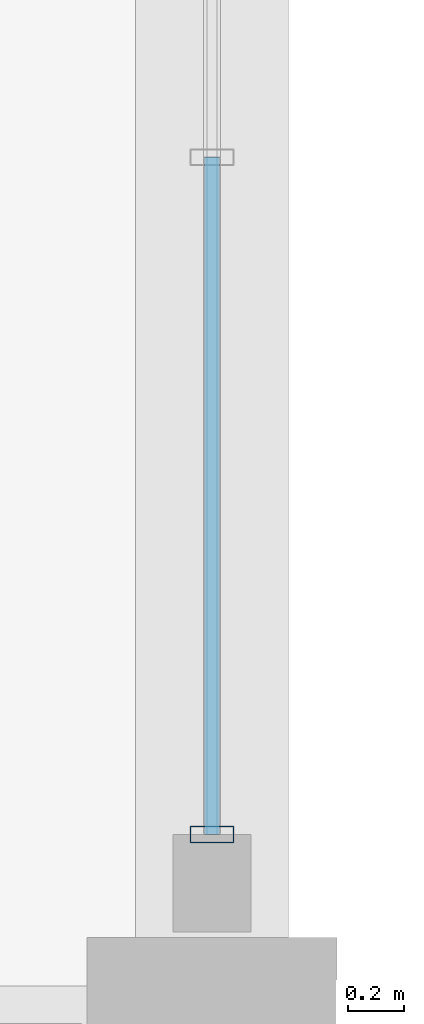
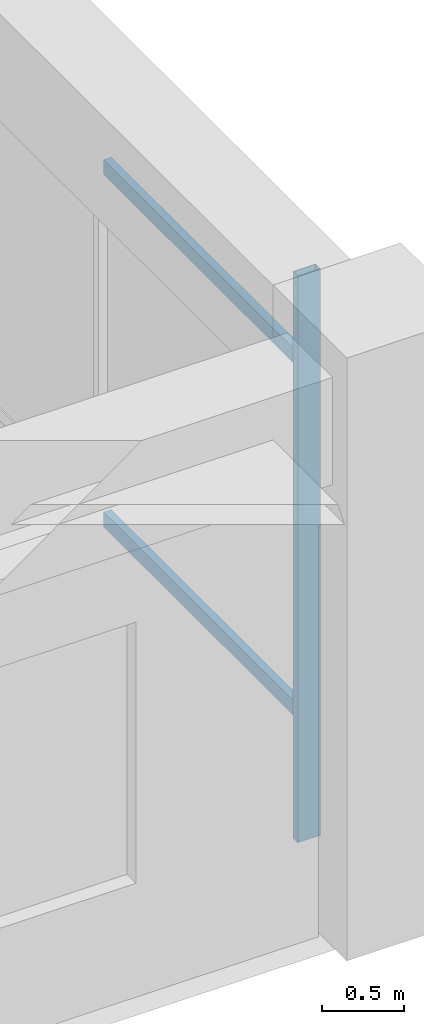
# One storey, part 77 of 154: 3 members, 1 element without a shape of its own.
"""IFC4 building model written with IfcOpenShell, lengths in metres."""

from ifc_helpers import new_model, si_unit, direction, frame, origin, origin_2d, place, context, subcontext, project, spatial, hollow_rectangle, extrude, material, material_profile, profile_set, type_object, element, aggregate, save


model = new_model("IFC4")

# Units and contexts
model_context = context("Model", 3, precision=1e-05, world=origin(), true_north=direction((0.0, 1.0)))
body_context = subcontext(model_context, "Body", "Model", "MODEL_VIEW")
ifc_project = project(units=[si_unit("LENGTHUNIT", "METRE"), si_unit("AREAUNIT", "SQUARE_METRE"), si_unit("VOLUMEUNIT", "CUBIC_METRE"), si_unit("PLANEANGLEUNIT", "RADIAN"), si_unit("MASSUNIT", "GRAM", prefix="KILO")], contexts=[model_context])

# Site, building, storey
site_placement = place(None, origin())
site = spatial("IfcSite", under=ifc_project, at=site_placement, CompositionType="ELEMENT")
building_placement = place(site_placement, origin())
building = spatial("IfcBuilding", under=site, at=building_placement, Name="Ologun Quay Terminus", CompositionType="ELEMENT")
storey_placement = place(building_placement, frame((0.0, 0.0, 13.800048828125)))
storey = spatial("IfcBuildingStorey", under=building, at=storey_placement, Name="L03", CompositionType="ELEMENT", Elevation=13.800048828125)

# Curtain wall, members
ifc_material_1 = material(Name="Aluminium 6063-T6", Category="aluminium")
curtain_wall_type = type_object("IfcCurtainWallType", Name="Rain-Garden West Courtyard Curtain Wall L03 8200x4150", PredefinedType="USERDEFINED", material=ifc_material_1)
curtain_wall_placement = place(storey_placement, origin())
curtain_wall = element("IfcCurtainWall", 1, at=curtain_wall_placement, inside=storey, type_object=curtain_wall_type, Name="CW-16 Curtain Wall CW-L03-111", ObjectType="UNITISED CURTAIN WALL", PredefinedType="USERDEFINED")
ifc_material_2 = material(Name="Aluminium 6063-T6", Category="aluminium")
ifc_material_profile_1 = material_profile(ifc_material_2, hollow_rectangle(XDim=0.06005859375, YDim=0.159912109375, WallThickness=0.00390625, at=origin_2d()), Name="ALU 160x60x4")
ifc_profile_set_1 = profile_set([ifc_material_profile_1], Name="Aluminium 6063-T6")
member_type_1 = type_object("IfcMemberType", Name="Courtyard Screen Mullion 160x65", PredefinedType="MULLION", material=ifc_profile_set_1)
member_1_placement = place(storey_placement, frame((69.0, 86.6201171875, 0.0), z_axis=(0.0, 0.0, 1.0), x_axis=(0.0, 1.0, 0.0)))
member_1 = element("IfcMember", 2, at=member_1_placement, type_object=member_type_1, Name="CW-L03-111 Mullion 1", PredefinedType="MULLION", context=body_context, shape_type="SweptSolid", body=[
    extrude(hollow_rectangle(XDim=0.06005859375, YDim=0.159912109375, WallThickness=0.00390625, at=origin_2d()), origin(), (0.0, 0.0, 1.0), 4.22998046875),
])
ifc_material_3 = material(Name="Aluminium 6063-T6", Category="aluminium")
ifc_material_profile_2 = material_profile(ifc_material_3, hollow_rectangle(XDim=0.054931640625, YDim=0.110107421875, WallThickness=0.00390625, at=origin_2d()), Name="ALU 110x55x4")
ifc_profile_set_2 = profile_set([ifc_material_profile_2], Name="Aluminium 6063-T6")
member_type_2 = type_object("IfcMemberType", Name="Courtyard Screen Transom 110x55", PredefinedType="USERDEFINED", material=ifc_profile_set_2)
member_2_placement = place(storey_placement, frame((69.0, 86.6201171875, 0.89990234375), z_axis=(0.0, 1.0, 0.0), x_axis=(-1.0, 0.0, 0.0)))
member_2 = element("IfcMember", 3, at=member_2_placement, type_object=member_type_2, Name="CW-L03-111 Transom B1-1", ObjectType="TRANSOM", PredefinedType="USERDEFINED", context=body_context, shape_type="SweptSolid", body=[
    extrude(hollow_rectangle(XDim=0.054931640625, YDim=0.110107421875, WallThickness=0.00390625, at=origin_2d()), origin(), (0.0, 0.0, 1.0), 2.4365234375),
])
member_3_placement = place(storey_placement, frame((69.0, 86.6201171875, 3.530029296875), z_axis=(0.0, 1.0, 0.0), x_axis=(-1.0, 0.0, 0.0)))
member_3 = element("IfcMember", 4, at=member_3_placement, type_object=member_type_2, Name="CW-L03-111 Transom B1-2", ObjectType="TRANSOM", PredefinedType="USERDEFINED", context=body_context, shape_type="SweptSolid", body=[
    extrude(hollow_rectangle(XDim=0.054931640625, YDim=0.110107421875, WallThickness=0.00390625, at=origin_2d()), origin(), (0.0, 0.0, 1.0), 2.4365234375),
])
aggregate(curtain_wall, [member_1, member_2, member_3])

save(model, "model.ifc")
